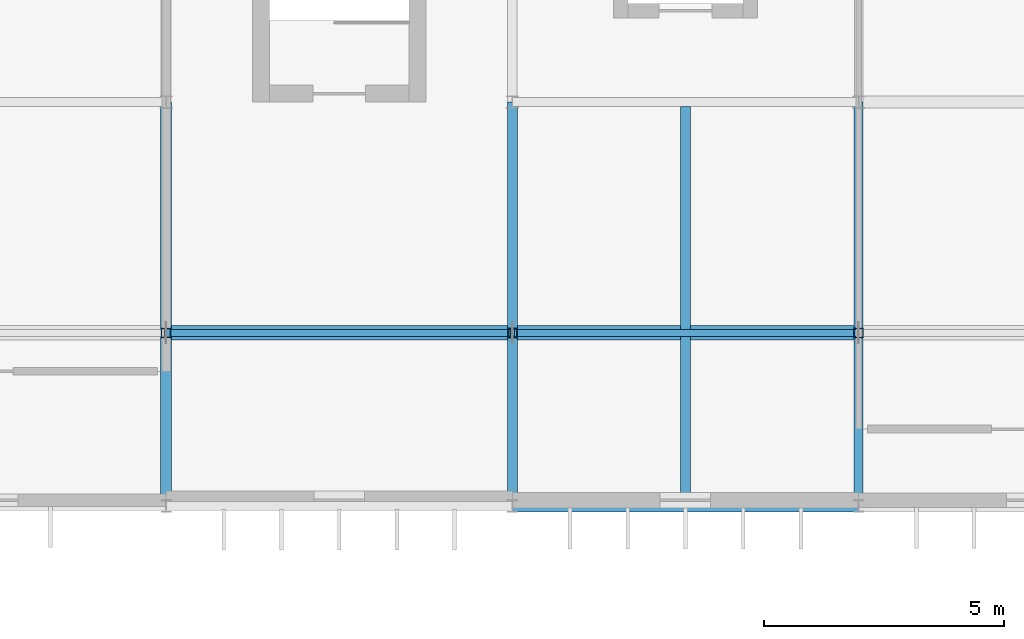
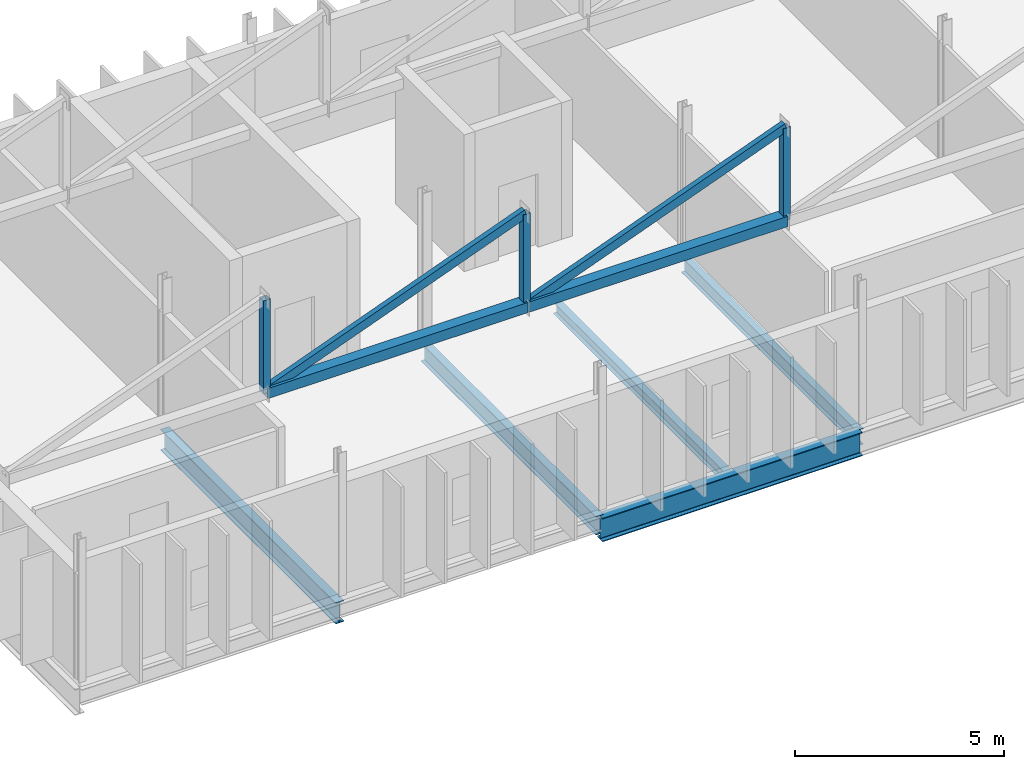
# One storey, part 20 of 52: 7 members, 5 beams.
"""IFC4 building model written with IfcOpenShell, lengths in metres."""

from ifc_helpers import new_model, si_unit, direction, frame, origin, origin_2d, place, context, subcontext, project, spatial, hollow_rectangle, i_section, extrude, material, material_profile, profile_set, type_object, element, save


model = new_model("IFC4")

# Units and contexts
model_context = context("Model", 3, precision=1e-05, world=origin(), true_north=direction((0.0, 1.0)))
body_context = subcontext(model_context, "Body", "Model", "MODEL_VIEW")
ifc_project = project(units=[si_unit("LENGTHUNIT", "METRE"), si_unit("AREAUNIT", "SQUARE_METRE"), si_unit("VOLUMEUNIT", "CUBIC_METRE"), si_unit("PLANEANGLEUNIT", "RADIAN"), si_unit("MASSUNIT", "GRAM", prefix="KILO")], contexts=[model_context])

# Site, building, storey
site_placement = place(None, origin())
site = spatial("IfcSite", under=ifc_project, at=site_placement, CompositionType="ELEMENT")
building_placement = place(site_placement, origin())
building = spatial("IfcBuilding", under=site, at=building_placement, Name="Qelthora Terrace Specialist Clinic", CompositionType="ELEMENT")
storey_placement = place(building_placement, frame((0.0, 0.0, 17.39990234375)))
storey = spatial("IfcBuildingStorey", under=building, at=storey_placement, Name="L04", CompositionType="ELEMENT", Elevation=17.39990234375)

# Beams
ifc_material = material(Name="Steel S355", Category="steel")
ifc_material_profile_1 = material_profile(ifc_material, i_section(OverallWidth=0.19091796875, OverallDepth=0.4599609375, WebThickness=0.010009765625, FlangeThickness=0.01611328125, FilletRadius=0.012939453125, at=origin_2d()), Name="W460X82")
ifc_profile_set_1 = profile_set([ifc_material_profile_1], Name="Steel S355")
beam_type_1 = type_object("IfcBeamType", Name="BM-W460X82", PredefinedType="BEAM", material=ifc_profile_set_1)
beam_1_placement = place(storey_placement, frame((79.199951171875, 92.39990234375, -0.47998046875), z_axis=(0.0, 1.0, 0.0), x_axis=(-1.0, 0.0, 0.0)))
element("IfcBeam", 1, at=beam_1_placement, inside=storey, type_object=beam_type_1, Name="Girder BMY-L04-1248", PredefinedType="BEAM", context=body_context, shape_type="SweptSolid", body=[
    extrude(i_section(OverallWidth=0.19091796875, OverallDepth=0.4599609375, WebThickness=0.010009765625, FlangeThickness=0.01611328125, FilletRadius=0.012939453125, at=origin_2d()), origin(), (0.0, 0.0, 1.0), 8.400146484375),
])
ifc_material_profile_2 = material_profile(ifc_material, i_section(OverallWidth=0.2099609375, OverallDepth=0.537109375, WebThickness=0.010986328125, FlangeThickness=0.017333984375, FilletRadius=0.013916015625, at=origin_2d()), Name="W530X101")
ifc_profile_set_2 = profile_set([ifc_material_profile_2], Name="Steel S355")
beam_type_2 = type_object("IfcBeamType", Name="BM-W530X101", PredefinedType="BEAM", material=ifc_profile_set_2)
beam_2_placement = place(storey_placement, frame((72.0, 92.39990234375, -0.518310546875), z_axis=(0.0, 1.0, 0.0), x_axis=(-1.0, 0.0, 0.0)))
element("IfcBeam", 2, at=beam_2_placement, inside=storey, type_object=beam_type_2, Name="Girder BMY-L04-1246", PredefinedType="BEAM", context=body_context, shape_type="SweptSolid", body=[
    extrude(i_section(OverallWidth=0.2099609375, OverallDepth=0.537109375, WebThickness=0.010986328125, FlangeThickness=0.017333984375, FilletRadius=0.013916015625, at=origin_2d()), origin(), (0.0, 0.0, 1.0), 8.400146484375),
])
ifc_material_profile_3 = material_profile(ifc_material, i_section(OverallWidth=0.22998046875, OverallDepth=0.616943359375, WebThickness=0.01318359375, FlangeThickness=0.022216796875, FilletRadius=0.01611328125, at=origin_2d()), Name="W610X140")
ifc_profile_set_3 = profile_set([ifc_material_profile_3], Name="Steel S355")
beam_type_3 = type_object("IfcBeamType", Name="BM-W610X140", PredefinedType="BEAM", material=ifc_profile_set_3)
beam_3_placement = place(storey_placement, frame((64.800048828125, 92.39990234375, -0.558349609375), z_axis=(0.0, 1.0, 0.0), x_axis=(-1.0, 0.0, 0.0)))
element("IfcBeam", 3, at=beam_3_placement, inside=storey, type_object=beam_type_3, Name="Girder BMY-L04-1244", PredefinedType="BEAM", context=body_context, shape_type="SweptSolid", body=[
    extrude(i_section(OverallWidth=0.22998046875, OverallDepth=0.616943359375, WebThickness=0.01318359375, FlangeThickness=0.022216796875, FilletRadius=0.01611328125, at=origin_2d()), origin(), (0.0, 0.0, 1.0), 8.400146484375),
])
ifc_material_profile_4 = material_profile(ifc_material, i_section(OverallWidth=0.256103515625, OverallDepth=0.693115234375, WebThickness=0.014404296875, FlangeThickness=0.023681640625, FilletRadius=0.01806640625, at=origin_2d()), Name="W690X170")
ifc_profile_set_4 = profile_set([ifc_material_profile_4], Name="Steel S355")
beam_type_4 = type_object("IfcBeamType", Name="BM-W690X170", PredefinedType="BEAM", material=ifc_profile_set_4)
beam_4_placement = place(storey_placement, frame((72.0, 92.39990234375, -0.596435546875), z_axis=(1.0, 0.0, 0.0), x_axis=(0.0, 1.0, 0.0)))
element("IfcBeam", 4, at=beam_4_placement, inside=storey, type_object=beam_type_4, Name="Girder BMX-L04-1177", PredefinedType="BEAM", context=body_context, shape_type="SweptSolid", body=[
    extrude(i_section(OverallWidth=0.256103515625, OverallDepth=0.693115234375, WebThickness=0.014404296875, FlangeThickness=0.023681640625, FilletRadius=0.01806640625, at=origin_2d()), origin(), (0.0, 0.0, 1.0), 7.199951171875),
])
ifc_material_profile_5 = material_profile(ifc_material, i_section(OverallWidth=0.202880859375, OverallDepth=0.346923828125, WebThickness=0.0078125, FlangeThickness=0.013427734375, FilletRadius=0.010986328125, at=origin_2d()), Name="W360X64")
ifc_profile_set_5 = profile_set([ifc_material_profile_5], Name="Steel S355")
beam_type_5 = type_object("IfcBeamType", Name="JST-W360X64", PredefinedType="JOIST", material=ifc_profile_set_5)
beam_5_placement = place(storey_placement, frame((75.60009765625, 92.528076171875, -0.42333984375), z_axis=(0.0, 1.0, 0.0), x_axis=(-1.0, 0.0, 0.0)))
element("IfcBeam", 5, at=beam_5_placement, inside=storey, type_object=beam_type_5, Name="Composite floor joist JST-L04-0277", PredefinedType="JOIST", context=body_context, shape_type="SweptSolid", body=[
    extrude(i_section(OverallWidth=0.202880859375, OverallDepth=0.346923828125, WebThickness=0.0078125, FlangeThickness=0.013427734375, FilletRadius=0.010986328125, at=origin_2d()), origin(), (0.0, 0.0, 1.0), 8.182373046875),
])

# Members
ifc_material_profile_6 = material_profile(ifc_material, hollow_rectangle(XDim=0.199951171875, YDim=0.199951171875, WallThickness=0.010009765625, at=origin_2d()), Name="HSS200X200X10")
ifc_profile_set_6 = profile_set([ifc_material_profile_6], Name="Steel S355")
member_type_1 = type_object("IfcMemberType", Name="MEM-BRACE-HSS200", PredefinedType="BRACE", material=ifc_profile_set_6)
for number, where, z_axis, x_axis, name in (
    (6, (64.800048828125, 96.0, 3.75), (0.0, 0.0, 1.0), (1.0, 0.0, 0.0), "Sawtooth clerestory post 1A"),
    (7, (72.0, 96.0, 3.75), (0.0, 0.0, 1.0), (1.0, 0.0, 0.0), "Sawtooth clerestory post 2A"),
    (8, (79.199951171875, 96.0, 3.75), (0.0, 0.0, 1.0), (1.0, 0.0, 0.0), "Sawtooth clerestory post 3A"),
):
    element("IfcMember", number, at=place(storey_placement, frame(where, z_axis=z_axis, x_axis=x_axis)), inside=storey, type_object=member_type_1, Name=name, PredefinedType="BRACE", context=body_context, shape_type="SweptSolid", body=[
        extrude(hollow_rectangle(XDim=0.199951171875, YDim=0.199951171875, WallThickness=0.010009765625, at=origin_2d()), origin(), (0.0, 0.0, 1.0), 2.710205078125),
    ])
ifc_material_profile_7 = material_profile(ifc_material, hollow_rectangle(XDim=0.300048828125, YDim=0.300048828125, WallThickness=0.011962890625, at=origin_2d()), Name="HSS300X300X12")
ifc_profile_set_7 = profile_set([ifc_material_profile_7], Name="Steel S355")
member_type_2 = type_object("IfcMemberType", Name="MEM-CHORD-HSS300", PredefinedType="CHORD", material=ifc_profile_set_7)
for number, where, z_axis, x_axis, name in (
    (9, (64.800048828125, 96.0, 3.75), (1.0, 0.0, 0.0), (0.0, 1.0, 0.0), "Sawtooth bottom tie chord 2A"),
    (10, (72.0, 96.0, 3.75), (1.0, 0.0, 0.0), (0.0, 1.0, 0.0), "Sawtooth bottom tie chord 3A"),
):
    element("IfcMember", number, at=place(storey_placement, frame(where, z_axis=z_axis, x_axis=x_axis)), inside=storey, type_object=member_type_2, Name=name, PredefinedType="CHORD", context=body_context, shape_type="SweptSolid", body=[
        extrude(hollow_rectangle(XDim=0.300048828125, YDim=0.300048828125, WallThickness=0.011962890625, at=origin_2d()), origin(), (0.0, 0.0, 1.0), 7.199951171875),
    ])
ifc_material_profile_8 = material_profile(ifc_material, hollow_rectangle(XDim=0.14990234375, YDim=0.25, WallThickness=0.010009765625, at=origin_2d()), Name="HSS250X150X10")
ifc_profile_set_8 = profile_set([ifc_material_profile_8], Name="Steel S355")
member_type_3 = type_object("IfcMemberType", Name="MEM-RAFTER-HSS250", PredefinedType="RAFTER", material=ifc_profile_set_8)
for number, where, z_axis, x_axis, name in (
    (11, (64.800048828125, 96.0, 3.75), (0.935891555567, 0.0, 0.352288228895), (0.0, 1.0, 0.0), "Sawtooth steel rafter 2A"),
    (12, (72.0, 96.0, 3.75), (0.935891555567, 0.0, 0.352288228895), (0.0, 1.0, 0.0), "Sawtooth steel rafter 3A"),
):
    element("IfcMember", number, at=place(storey_placement, frame(where, z_axis=z_axis, x_axis=x_axis)), inside=storey, type_object=member_type_3, Name=name, PredefinedType="RAFTER", context=body_context, shape_type="SweptSolid", body=[
        extrude(hollow_rectangle(XDim=0.14990234375, YDim=0.25, WallThickness=0.010009765625, at=origin_2d()), origin(), (0.0, 0.0, 1.0), 7.693115234375),
    ])

save(model, "model.ifc")
